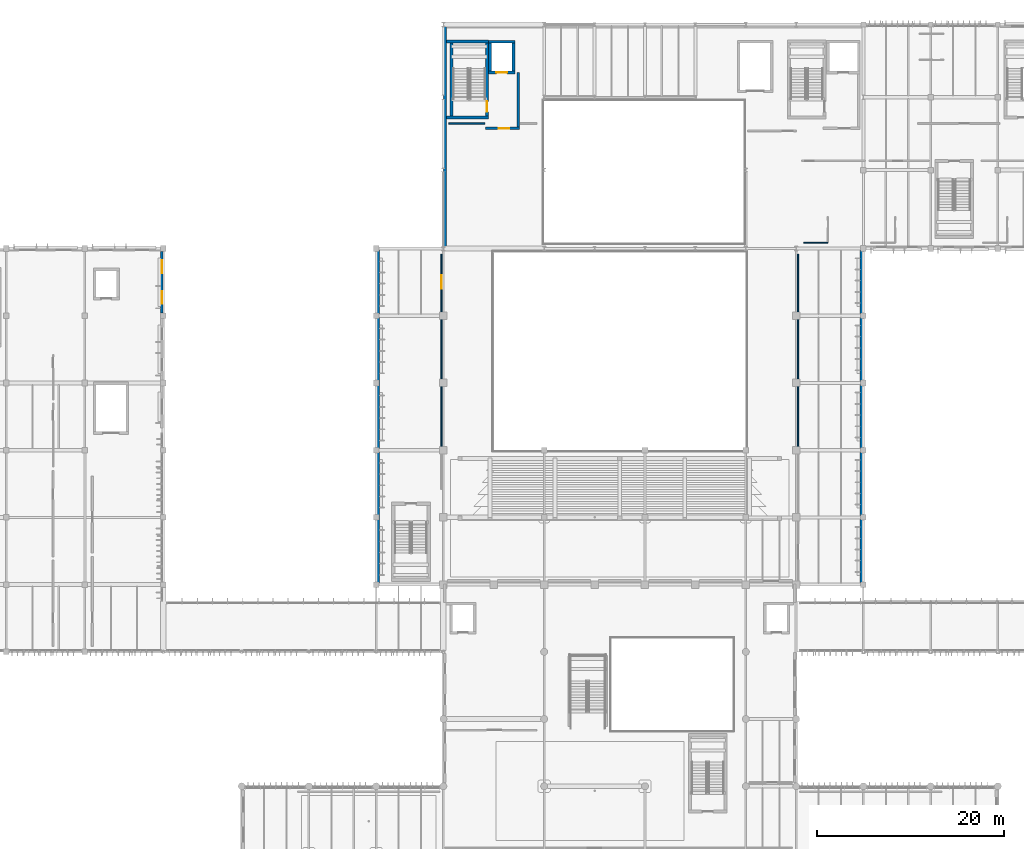
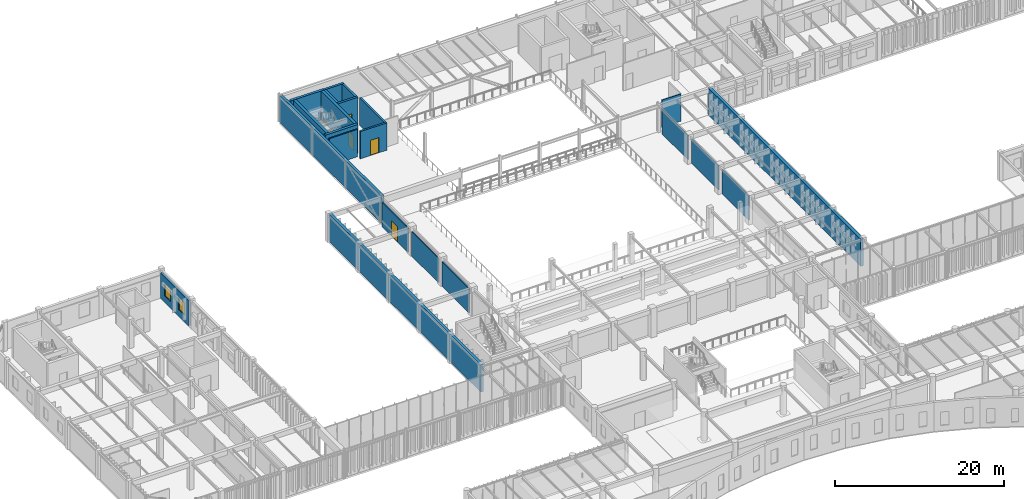
# One storey, part 44 of 122: 22 walls, 4 doors, 2 windows, 6 openings.
"""IFC4 building model written with IfcOpenShell, lengths in metres."""

from ifc_helpers import new_model, si_unit, direction, frame, frame_2d, origin, place, context, subcontext, project, spatial, rectangle, extrude, material, layer, layer_set, type_object, element, fill, save


model = new_model("IFC4")

# Units and contexts
model_context = context("Model", 3, precision=1e-05, world=origin(), true_north=direction((0.0, 1.0)))
body_context = subcontext(model_context, "Body", "Model", "MODEL_VIEW")
ifc_project = project(units=[si_unit("LENGTHUNIT", "METRE"), si_unit("AREAUNIT", "SQUARE_METRE"), si_unit("VOLUMEUNIT", "CUBIC_METRE"), si_unit("PLANEANGLEUNIT", "RADIAN"), si_unit("MASSUNIT", "GRAM", prefix="KILO")], contexts=[model_context])

# Site, building, storey
site_placement = place(None, origin())
site = spatial("IfcSite", under=ifc_project, at=site_placement, CompositionType="ELEMENT")
building_placement = place(site_placement, origin())
building = spatial("IfcBuilding", under=site, at=building_placement, Name="Tazoul Stagehouse", CompositionType="ELEMENT")
storey_placement = place(building_placement, frame((0.0, 0.0, 4.800048828125)))
storey = spatial("IfcBuildingStorey", under=building, at=storey_placement, Name="L01", CompositionType="ELEMENT", Elevation=4.800048828125)

# Walls
ifc_material_1 = material(Name="Ochre Fired Clay Facing Brick Masonry", Category="masonry")
ifc_layer_1 = layer(ifc_material_1, 0.360107421875, Name="Ochre Fired Clay Facing Brick Masonry")
ifc_layer_set_1 = layer_set([ifc_layer_1], Name="Ochre Fired Clay Facing Brick Masonry")
wall_type_1 = type_object("IfcWallType", Name="Acoustic Stagehouse Masonry-Concrete Cavity Wall 360", PredefinedType="SOLIDWALL", material=ifc_layer_set_1)
wall_1_placement = place(storey_placement, frame((57.780029296875, 87.800048828125, 0.0), z_axis=(0.0, 0.0, 1.0), x_axis=(0.0, 1.0, 0.0)))
element("IfcWall", 1, at=wall_1_placement, inside=storey, type_object=wall_type_1, Name="L01 Wall EW-360 (WALL-V2-W-L01-S1)", PredefinedType="SOLIDWALL", context=body_context, shape_type="SweptSolid", body=[
    extrude(rectangle(XDim=24.0, YDim=0.360107421875, at=frame_2d((12.0, 0.0))), origin(), (0.0, 0.0, 1.0), 3.93994140625),
])
ifc_material_2 = material(Name="Concrete C40/50", Category="concrete")
ifc_layer_2 = layer(ifc_material_2, 0.3798828125, Name="Concrete C40/50")
ifc_layer_set_2 = layer_set([ifc_layer_2], Name="Concrete C40/50")
wall_type_2 = type_object("IfcWallType", Name="Auditorium Shell Acoustic Perimeter Wall 380", PredefinedType="SOLIDWALL", material=ifc_layer_set_2)
for number, where, z_axis, x_axis, name in (
    (2, (50.590087890625, 51.800048828125, 0.0), (0.0, 0.0, 1.0), (0.0, 1.0, 0.0), "L01 Wall EW-380 (WALL-V1-W-L01-S1)"),
    (3, (102.409912109375, 87.800048828125, 0.0), (0.0, 0.0, 1.0), (0.0, -1.0, 0.0), "L01 Wall EW-380 (WALL-V1-E-L01-S1)"),
):
    element("IfcWall", number, at=place(storey_placement, frame(where, z_axis=z_axis, x_axis=x_axis)), inside=storey, type_object=wall_type_2, Name=name, PredefinedType="SOLIDWALL", context=body_context, shape_type="SweptSolid", body=[
        extrude(rectangle(XDim=36.0, YDim=0.3798828125, at=frame_2d((18.0, 0.0))), origin(), (0.0, 0.0, 1.0), 3.93994140625),
    ])
ifc_layer_3 = layer(ifc_material_2, 0.35009765625, Name="Concrete C40/50")
ifc_layer_set_3 = layer_set([ifc_layer_3], Name="Concrete C40/50")
wall_type_3 = type_object("IfcWallType", Name="Core Shear Wall 350", PredefinedType="SOLIDWALL", material=ifc_layer_set_3)
wall_2_placement = place(storey_placement, frame((62.449951171875, 101.824951171875, 0.0), z_axis=(0.0, 0.0, 1.0), x_axis=(-1.0, 0.0, 0.0)))
element("IfcWall", 4, at=wall_2_placement, inside=storey, type_object=wall_type_3, Name="L01 Core Wall CW-350 (SHF-ST-03-south)", PredefinedType="SOLIDWALL", context=body_context, shape_type="SweptSolid", body=[
    extrude(rectangle(XDim=4.489990234375, YDim=0.35009765625, at=frame_2d((2.2451171875, 0.0))), origin(), (0.0, 0.0, 1.0), 4.199951171875),
])
wall_3_placement = place(storey_placement, frame((58.47509765625, 102.0, 0.0), z_axis=(0.0, 0.0, 1.0), x_axis=(0.0, 1.0, 0.0)))
element("IfcWall", 5, at=wall_3_placement, inside=storey, type_object=wall_type_3, Name="L01 Core Wall CW-350 (SHF-ST-03-west)", PredefinedType="SOLIDWALL", context=body_context, shape_type="SweptSolid", body=[
    extrude(rectangle(XDim=7.800048828125, YDim=0.35009765625, at=frame_2d((3.89990234375, 0.0))), origin(), (0.0, 0.0, 1.0), 4.199951171875),
])
wall_4_placement = place(storey_placement, frame((57.9599609375, 109.97509765625, 0.0), z_axis=(0.0, 0.0, 1.0), x_axis=(1.0, 0.0, 0.0)))
element("IfcWall", 6, at=wall_4_placement, inside=storey, type_object=wall_type_3, Name="L01 Core Wall CW-350 (SHF-ST-03-north)", PredefinedType="SOLIDWALL", context=body_context, shape_type="SweptSolid", body=[
    extrude(rectangle(XDim=4.489990234375, YDim=0.35009765625, at=frame_2d((2.2451171875, 0.0))), origin(), (0.0, 0.0, 1.0), 4.199951171875),
])

# Wall, opening, door
wall_5_placement = place(storey_placement, frame((62.27490234375, 109.800048828125, 0.0), z_axis=(0.0, 0.0, 1.0), x_axis=(0.0, -1.0, 0.0)))
wall_5 = element("IfcWall", 7, at=wall_5_placement, inside=storey, type_object=wall_type_3, Name="L01 Core Wall CW-350 (SHF-ST-03-east)", PredefinedType="SOLIDWALL", context=body_context, shape_type="SweptSolid", body=[
    extrude(rectangle(XDim=7.800048828125, YDim=0.35009765625, at=frame_2d((3.89990234375, 0.0))), origin(), (0.0, 0.0, 1.0), 4.199951171875),
])
opening_1_placement = place(wall_5_placement, frame((6.25, 0.0, 0.0)))
opening_1 = element("IfcOpeningElement", 8, at=opening_1_placement, cuts=wall_5, Name="Opening FD-01", PredefinedType="OPENING", context=body_context, shape_type="SweptSolid", body=[
    extrude(rectangle(XDim=1.10009765625, YDim=2.14990234375, at=frame_2d((0.550048828125, 1.074951171875))), frame((0.0, 0.195068359375, 0.0), z_axis=(0.0, -1.0, 0.0), x_axis=(1.0, 0.0, 0.0)), (0.0, 0.0, 1.0), 0.39013671875),
])
ifc_material_3 = material(Name="Powder-Coated Galvanised Acoustic Steel", Category="steel")
door_type_1 = type_object("IfcDoorType", Name="Core Escape Stair Fire Door 1100x2150", OperationType="NOTDEFINED", PredefinedType="DOOR", material=ifc_material_3)
door_1_placement = place(opening_1_placement, origin())
door_1 = element("IfcDoor", 9, at=door_1_placement, inside=storey, type_object=door_type_1, Name="L01 Escape Stair Fire Door FD-01 (ST-03)", OperationType="SINGLE_SWING_RIGHT", OverallHeight=2.14990234375, OverallWidth=1.10009765625, PredefinedType="DOOR", context=body_context, shape_type="SweptSolid", body=[
    extrude(rectangle(XDim=1.10009765625, YDim=2.14990234375, at=frame_2d((0.550048828125, 1.074951171875))), frame((0.0, 0.02490234375, 0.0), z_axis=(0.0, -1.0, 0.0), x_axis=(1.0, 0.0, 0.0)), (0.0, 0.0, 1.0), 0.050048828125),
])
fill(opening_1, door_1)

# Wall
ifc_material_4 = material(Name="Gypsum Acoustic Partition", Category="gypsum")
ifc_layer_4 = layer(ifc_material_4, 0.169921875, Name="Gypsum Acoustic Partition")
ifc_layer_set_4 = layer_set([ifc_layer_4], Name="Gypsum Acoustic Partition")
wall_type_4 = type_object("IfcWallType", Name="Corridor Fire-Rated Partition 170", PredefinedType="PARTITIONING", material=ifc_layer_set_4)
wall_6_placement = place(storey_placement, frame((58.199951171875, 101.199951171875, 0.0), z_axis=(0.0, 0.0, 1.0), x_axis=(1.0, 0.0, 0.0)))
element("IfcWall", 10, at=wall_6_placement, inside=storey, type_object=wall_type_4, Name="L01 Partition PW-170 (PW-RM-L01-036-N-S1)", PredefinedType="PARTITIONING", context=body_context, shape_type="SweptSolid", body=[
    extrude(rectangle(XDim=3.860107421875, YDim=0.169921875, at=frame_2d((1.93017578125, 0.0))), origin(), (0.0, 0.0, 1.0), 3.93994140625),
])

# Wall, opening, door
ifc_layer_5 = layer(ifc_material_2, 0.260009765625, Name="Concrete C40/50")
ifc_layer_set_5 = layer_set([ifc_layer_5], Name="Concrete C40/50")
wall_type_5 = type_object("IfcWallType", Name="Firefighting Lobby Wall 260", PredefinedType="SOLIDWALL", material=ifc_layer_set_5)
wall_7_placement = place(storey_placement, frame((65.760009765625, 100.669921875, 0.0), z_axis=(0.0, 0.0, 1.0), x_axis=(-1.0, 0.0, 0.0)))
wall_7 = element("IfcWall", 11, at=wall_7_placement, inside=storey, type_object=wall_type_5, Name="L01 Firefighting Lobby Wall CW-260 (C3-S)", PredefinedType="SOLIDWALL", context=body_context, shape_type="SweptSolid", body=[
    extrude(rectangle(XDim=3.659912109375, YDim=0.260009765625, at=frame_2d((1.830078125, 0.0))), origin(), (0.0, 0.0, 1.0), 3.93994140625),
])
opening_2_placement = place(wall_7_placement, frame((1.10009765625, 0.0, 0.0)))
opening_2 = element("IfcOpeningElement", 12, at=opening_2_placement, cuts=wall_7, Name="Opening FD-02", PredefinedType="OPENING", context=body_context, shape_type="SweptSolid", body=[
    extrude(rectangle(XDim=1.14990234375, YDim=2.199951171875, at=frame_2d((0.574951171875, 1.10009765625))), frame((0.0, 0.14990234375, 0.0), z_axis=(0.0, -1.0, 0.0), x_axis=(1.0, 0.0, 0.0)), (0.0, 0.0, 1.0), 0.300048828125),
])
door_type_2 = type_object("IfcDoorType", Name="Firefighting Lobby Fire Door 1150x2200", OperationType="NOTDEFINED", PredefinedType="DOOR", material=ifc_material_3)
door_2_placement = place(opening_2_placement, origin())
door_2 = element("IfcDoor", 13, at=door_2_placement, inside=storey, type_object=door_type_2, Name="L01 Firefighting Lobby Door FD-02 (C3)", OperationType="SINGLE_SWING_LEFT", OverallHeight=2.199951171875, OverallWidth=1.14990234375, PredefinedType="DOOR", context=body_context, shape_type="SweptSolid", body=[
    extrude(rectangle(XDim=1.14990234375, YDim=2.199951171875, at=frame_2d((0.574951171875, 1.10009765625))), frame((0.0, 0.02490234375, 0.0), z_axis=(0.0, -1.0, 0.0), x_axis=(1.0, 0.0, 0.0)), (0.0, 0.0, 1.0), 0.050048828125),
])
fill(opening_2, door_2)

# Wall
wall_8_placement = place(storey_placement, frame((65.6298828125, 106.64990234375, 0.0), z_axis=(0.0, 0.0, 1.0), x_axis=(0.0, -1.0, 0.0)))
element("IfcWall", 14, at=wall_8_placement, inside=storey, type_object=wall_type_5, Name="L01 Firefighting Lobby Wall CW-260 (C3-E)", PredefinedType="SOLIDWALL", context=body_context, shape_type="SweptSolid", body=[
    extrude(rectangle(XDim=5.849853515625, YDim=0.260009765625, at=frame_2d((2.9248046875, 0.0))), origin(), (0.0, 0.0, 1.0), 3.93994140625),
])

# Wall, openings, windows
ifc_material_5 = material(Name="Precast concrete C40/50", Category="concrete")
ifc_layer_6 = layer(ifc_material_5, 0.280029296875, Name="Precast concrete C40/50")
ifc_layer_set_6 = layer_set([ifc_layer_6], Name="Precast concrete C40/50")
wall_type_6 = type_object("IfcWallType", Name="Insulated Precast Acoustic Cladding Wall 280", PredefinedType="SOLIDWALL", material=ifc_layer_set_6)
wall_9_placement = place(storey_placement, frame((27.449951171875, 80.905029296875, 0.0), z_axis=(0.0, 0.0, 1.0), x_axis=(0.0, 1.0, 0.0)))
wall_9 = element("IfcWall", 15, at=wall_9_placement, inside=storey, type_object=wall_type_6, Name="L01 Wall EW-280 (WALL-V6-E2-L01-S3)", PredefinedType="SOLIDWALL", context=body_context, shape_type="SweptSolid", body=[
    extrude(rectangle(XDim=6.590087890625, YDim=0.280029296875, at=frame_2d((3.294921875, 0.0))), origin(), (0.0, 0.0, 1.0), 3.65283203125),
])
opening_3_placement = place(wall_9_placement, frame((0.972412109375, 0.0, 0.949951171875)))
opening_3 = element("IfcOpeningElement", 16, at=opening_3_placement, cuts=wall_9, Name="Opening WN-23", PredefinedType="OPENING", context=body_context, shape_type="SweptSolid", body=[
    extrude(rectangle(XDim=1.35009765625, YDim=1.75, at=frame_2d((0.675048828125, 0.875))), frame((0.0, 0.159912109375, 0.0), z_axis=(0.0, -1.0, 0.0), x_axis=(1.0, 0.0, 0.0)), (0.0, 0.0, 1.0), 0.320068359375),
])
opening_4_placement = place(wall_9_placement, frame((4.267578125, 0.0, 0.949951171875)))
opening_4 = element("IfcOpeningElement", 17, at=opening_4_placement, cuts=wall_9, Name="Opening WN-23", PredefinedType="OPENING", context=body_context, shape_type="SweptSolid", body=[
    extrude(rectangle(XDim=1.35009765625, YDim=1.75, at=frame_2d((0.675048828125, 0.875))), frame((0.0, 0.159912109375, 0.0), z_axis=(0.0, -1.0, 0.0), x_axis=(1.0, 0.0, 0.0)), (0.0, 0.0, 1.0), 0.320068359375),
])
ifc_material_6 = material(Name="Double Low-E Acoustic Laminated Glass", Category="glass")
window_type = type_object("IfcWindowType", Name="Rehearsal Daylight Window 1350x1750", PartitioningType="SINGLE_PANEL", PredefinedType="WINDOW", material=ifc_material_6)
window_1_placement = place(opening_3_placement, origin())
window_1 = element("IfcWindow", 18, at=window_1_placement, inside=storey, type_object=window_type, Name="L01 Window WN-23 (WALL-V6-E2-L01-S3-W1)", OverallHeight=1.75, OverallWidth=1.35009765625, PartitioningType="SINGLE_PANEL", PredefinedType="WINDOW", context=body_context, shape_type="SweptSolid", body=[
    extrude(rectangle(XDim=1.35009765625, YDim=1.75, at=frame_2d((0.675048828125, 0.875))), frame((0.0, 0.030029296875, 0.0), z_axis=(0.0, -1.0, 0.0), x_axis=(1.0, 0.0, 0.0)), (0.0, 0.0, 1.0), 0.06005859375),
])
fill(opening_3, window_1)
window_2_placement = place(opening_4_placement, origin())
window_2 = element("IfcWindow", 19, at=window_2_placement, inside=storey, type_object=window_type, Name="L01 Window WN-23 (WALL-V6-E2-L01-S3-W2)", OverallHeight=1.75, OverallWidth=1.35009765625, PartitioningType="SINGLE_PANEL", PredefinedType="WINDOW", context=body_context, shape_type="SweptSolid", body=[
    extrude(rectangle(XDim=1.35009765625, YDim=1.75, at=frame_2d((0.675048828125, 0.875))), frame((0.0, 0.030029296875, 0.0), z_axis=(0.0, -1.0, 0.0), x_axis=(1.0, 0.0, 0.0)), (0.0, 0.0, 1.0), 0.06005859375),
])
fill(opening_4, window_2)

# Wall, opening, door
ifc_layer_7 = layer(ifc_material_2, 0.300048828125, Name="Concrete C40/50")
ifc_layer_set_7 = layer_set([ifc_layer_7], Name="Concrete C40/50")
wall_type_7 = type_object("IfcWallType", Name="Lift Shaft Wall 300", PredefinedType="SOLIDWALL", material=ifc_layer_set_7)
wall_10_placement = place(storey_placement, frame((65.25, 106.64990234375, 0.0), z_axis=(0.0, 0.0, 1.0), x_axis=(-1.0, 0.0, 0.0)))
wall_10 = element("IfcWall", 20, at=wall_10_placement, inside=storey, type_object=wall_type_7, Name="L01 Core Wall CW-300 (LSHF-FFL-02-south)", PredefinedType="SOLIDWALL", context=body_context, shape_type="SweptSolid", body=[
    extrude(rectangle(XDim=2.800048828125, YDim=0.300048828125, at=frame_2d((1.39990234375, 0.0))), origin(), (0.0, 0.0, 1.0), 4.199951171875),
])
opening_5_placement = place(wall_10_placement, frame((0.824951171875, 0.0, 0.0)))
opening_5 = element("IfcOpeningElement", 21, at=opening_5_placement, cuts=wall_10, Name="Opening LD-02", PredefinedType="OPENING", context=body_context, shape_type="SweptSolid", body=[
    extrude(rectangle(XDim=1.14990234375, YDim=2.10009765625, at=frame_2d((0.574951171875, 1.050048828125))), frame((0.0, 0.169921875, 0.0), z_axis=(0.0, -1.0, 0.0), x_axis=(1.0, 0.0, 0.0)), (0.0, 0.0, 1.0), 0.340087890625),
])
door_type_3 = type_object("IfcDoorType", Name="Firefighter Lift Sliding Landing Door 1150x2100", OperationType="DOUBLE_DOOR_SLIDING", PredefinedType="DOOR", material=ifc_material_3)
door_3_placement = place(opening_5_placement, origin())
door_3 = element("IfcDoor", 22, at=door_3_placement, inside=storey, type_object=door_type_3, Name="L01 Lift Landing Sliding Door LD-02 (FFL-02)", OperationType="DOUBLE_DOOR_SLIDING", OverallHeight=2.10009765625, OverallWidth=1.14990234375, PredefinedType="DOOR", context=body_context, shape_type="SweptSolid", body=[
    extrude(rectangle(XDim=1.14990234375, YDim=2.10009765625, at=frame_2d((0.574951171875, 1.050048828125))), frame((0.0, 0.02490234375, 0.0), z_axis=(0.0, -1.0, 0.0), x_axis=(1.0, 0.0, 0.0)), (0.0, 0.0, 1.0), 0.050048828125),
])
fill(opening_5, door_3)

# Walls
wall_11_placement = place(storey_placement, frame((62.60009765625, 106.800048828125, 0.0), z_axis=(0.0, 0.0, 1.0), x_axis=(0.0, 1.0, 0.0)))
element("IfcWall", 23, at=wall_11_placement, inside=storey, type_object=wall_type_7, Name="L01 Core Wall CW-300 (LSHF-FFL-02-west)", PredefinedType="SOLIDWALL", context=body_context, shape_type="SweptSolid", body=[
    extrude(rectangle(XDim=3.0, YDim=0.300048828125, at=frame_2d((1.5, 0.0))), origin(), (0.0, 0.0, 1.0), 4.199951171875),
])
wall_12_placement = place(storey_placement, frame((62.449951171875, 109.949951171875, 0.0), z_axis=(0.0, 0.0, 1.0), x_axis=(1.0, 0.0, 0.0)))
element("IfcWall", 24, at=wall_12_placement, inside=storey, type_object=wall_type_7, Name="L01 Core Wall CW-300 (LSHF-FFL-02-north)", PredefinedType="SOLIDWALL", context=body_context, shape_type="SweptSolid", body=[
    extrude(rectangle(XDim=2.800048828125, YDim=0.300048828125, at=frame_2d((1.39990234375, 0.0))), origin(), (0.0, 0.0, 1.0), 4.199951171875),
])
wall_13_placement = place(storey_placement, frame((65.10009765625, 109.800048828125, 0.0), z_axis=(0.0, 0.0, 1.0), x_axis=(0.0, -1.0, 0.0)))
element("IfcWall", 25, at=wall_13_placement, inside=storey, type_object=wall_type_7, Name="L01 Core Wall CW-300 (LSHF-FFL-02-east)", PredefinedType="SOLIDWALL", context=body_context, shape_type="SweptSolid", body=[
    extrude(rectangle(XDim=3.0, YDim=0.300048828125, at=frame_2d((1.5, 0.0))), origin(), (0.0, 0.0, 1.0), 4.199951171875),
])

# Wall, opening, door
ifc_layer_8 = layer(ifc_material_4, 0.1298828125, Name="Gypsum Acoustic Partition")
ifc_layer_set_8 = layer_set([ifc_layer_8], Name="Gypsum Acoustic Partition")
wall_type_8 = type_object("IfcWallType", Name="Office Drywall Partition 130", PredefinedType="PARTITIONING", material=ifc_layer_set_8)
wall_14_placement = place(storey_placement, frame((57.39990234375, 87.199951171875, 0.0), z_axis=(0.0, 0.0, 1.0), x_axis=(0.0, -1.0, 0.0)))
wall_14 = element("IfcWall", 26, at=wall_14_placement, inside=storey, type_object=wall_type_8, Name="L01 Partition PW-130 (PW-RM-L01-111-E-S1)", PredefinedType="PARTITIONING", context=body_context, shape_type="SweptSolid", body=[
    extrude(rectangle(XDim=6.179931640625, YDim=0.1298828125, at=frame_2d((3.08984375, 0.0))), origin(), (0.0, 0.0, 1.0), 3.550048828125),
])
opening_6_placement = place(wall_14_placement, frame((2.24658203125, 0.0, 0.0)))
opening_6 = element("IfcOpeningElement", 27, at=opening_6_placement, cuts=wall_14, Name="Opening ID-21", PredefinedType="OPENING", context=body_context, shape_type="SweptSolid", body=[
    extrude(rectangle(XDim=1.449951171875, YDim=2.199951171875, at=frame_2d((0.72509765625, 1.10009765625))), frame((0.0, 0.0849609375, 0.0), z_axis=(0.0, -1.0, 0.0), x_axis=(1.0, 0.0, 0.0)), (0.0, 0.0, 1.0), 0.169921875),
])
ifc_material_7 = material(Name="Acoustic Cedar Timber", Category="wood")
door_type_4 = type_object("IfcDoorType", Name="Press Conference Double Door 1450x2200", OperationType="DOUBLE_DOOR_SINGLE_SWING", PredefinedType="DOOR", material=ifc_material_7)
door_4_placement = place(opening_6_placement, origin())
door_4 = element("IfcDoor", 28, at=door_4_placement, inside=storey, type_object=door_type_4, Name="L01 West Dress Circle Acoustic Side Salon Door", OperationType="DOUBLE_DOOR_SINGLE_SWING", OverallHeight=2.199951171875, OverallWidth=1.449951171875, PredefinedType="DOOR", context=body_context, shape_type="SweptSolid", body=[
    extrude(rectangle(XDim=1.449951171875, YDim=2.199951171875, at=frame_2d((0.72509765625, 1.10009765625))), frame((0.0, 0.02490234375, 0.0), z_axis=(0.0, -1.0, 0.0), x_axis=(1.0, 0.0, 0.0)), (0.0, 0.0, 1.0), 0.050048828125),
])
fill(opening_6, door_4)

# Walls
for number, where, z_axis, x_axis, name in (
    (29, (57.39990234375, 80.179931640625, 0.0), (0.0, 0.0, 1.0), (0.0, -1.0, 0.0), "L01 Partition PW-130 (PW-RM-L01-111-E-S2)"),
    (30, (57.39990234375, 72.97998046875, 0.0), (0.0, 0.0, 1.0), (0.0, -1.0, 0.0), "L01 Partition PW-130 (PW-RM-L01-111-E-S3)"),
    (31, (95.60009765625, 66.6201171875, 0.0), (0.0, 0.0, 1.0), (0.0, 1.0, 0.0), "L01 Partition PW-130 (PW-RM-L01-112-W-S3)"),
    (32, (95.60009765625, 73.820068359375, 0.0), (0.0, 0.0, 1.0), (0.0, 1.0, 0.0), "L01 Partition PW-130 (PW-RM-L01-112-W-S4)"),
):
    element("IfcWall", number, at=place(storey_placement, frame(where, z_axis=z_axis, x_axis=x_axis)), inside=storey, type_object=wall_type_8, Name=name, PredefinedType="PARTITIONING", context=body_context, shape_type="SweptSolid", body=[
        extrude(rectangle(XDim=6.35986328125, YDim=0.1298828125, at=frame_2d((3.179931640625, 0.0))), origin(), (0.0, 0.0, 1.0), 3.550048828125),
    ])
wall_15_placement = place(storey_placement, frame((95.60009765625, 81.02001953125, 0.0), z_axis=(0.0, 0.0, 1.0), x_axis=(0.0, 1.0, 0.0)))
element("IfcWall", 33, at=wall_15_placement, inside=storey, type_object=wall_type_8, Name="L01 Partition PW-130 (PW-RM-L01-112-W-S5)", PredefinedType="PARTITIONING", context=body_context, shape_type="SweptSolid", body=[
    extrude(rectangle(XDim=6.179931640625, YDim=0.1298828125, at=frame_2d((3.08984375, 0.0))), origin(), (0.0, 0.0, 1.0), 3.550048828125),
])
ifc_layer_9 = layer(ifc_material_4, 0.110107421875, Name="Gypsum Acoustic Partition")
ifc_layer_set_9 = layer_set([ifc_layer_9], Name="Gypsum Acoustic Partition")
wall_type_9 = type_object("IfcWallType", Name="Wet-Area Tile Backing Partition 110", PredefinedType="PARTITIONING", material=ifc_layer_set_9)
wall_16_placement = place(storey_placement, frame((98.800048828125, 88.39990234375, 0.0), z_axis=(0.0, 0.0, 1.0), x_axis=(-1.0, 0.0, 0.0)))
element("IfcWall", 34, at=wall_16_placement, inside=storey, type_object=wall_type_9, Name="L01 Partition PW-110 (PW-RM-L01-040-S)", PredefinedType="PARTITIONING", context=body_context, shape_type="SweptSolid", body=[
    extrude(rectangle(XDim=2.60009765625, YDim=0.110107421875, at=frame_2d((1.300048828125, 0.0))), origin(), (0.0, 0.0, 1.0), 3.93994140625),
])

save(model, "model.ifc")
